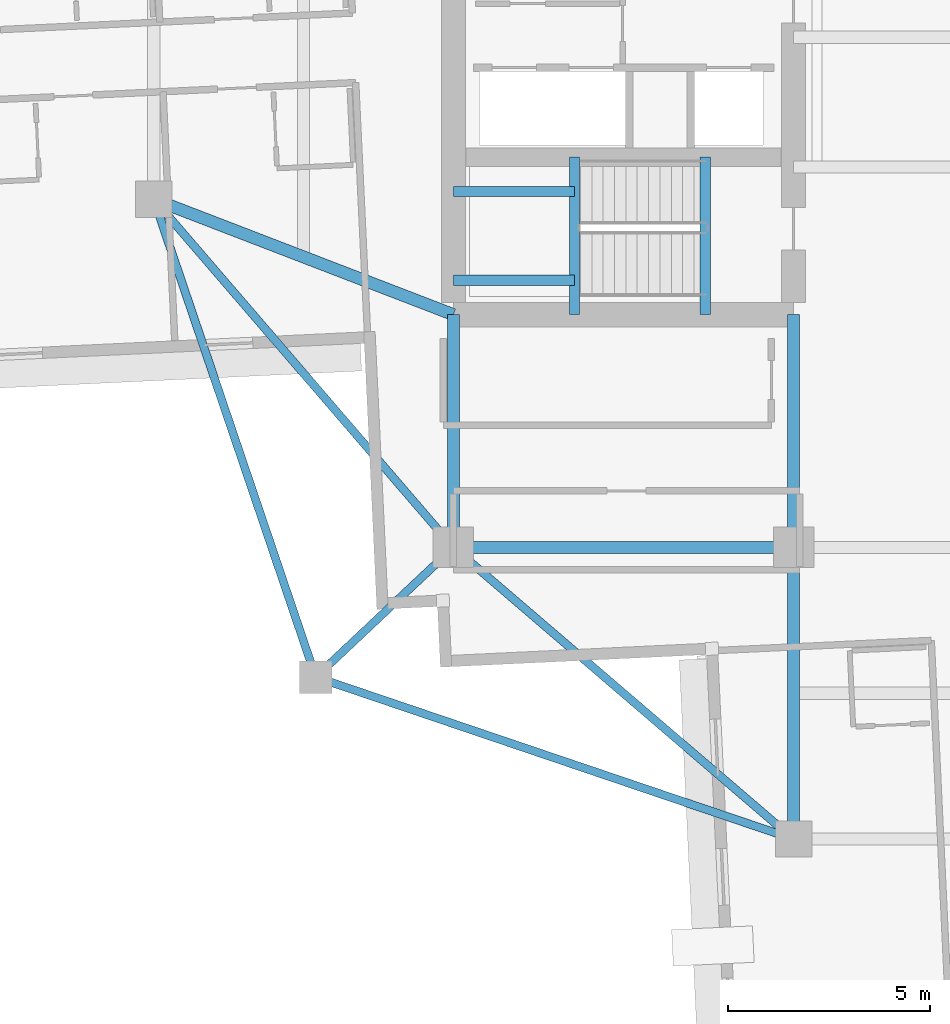
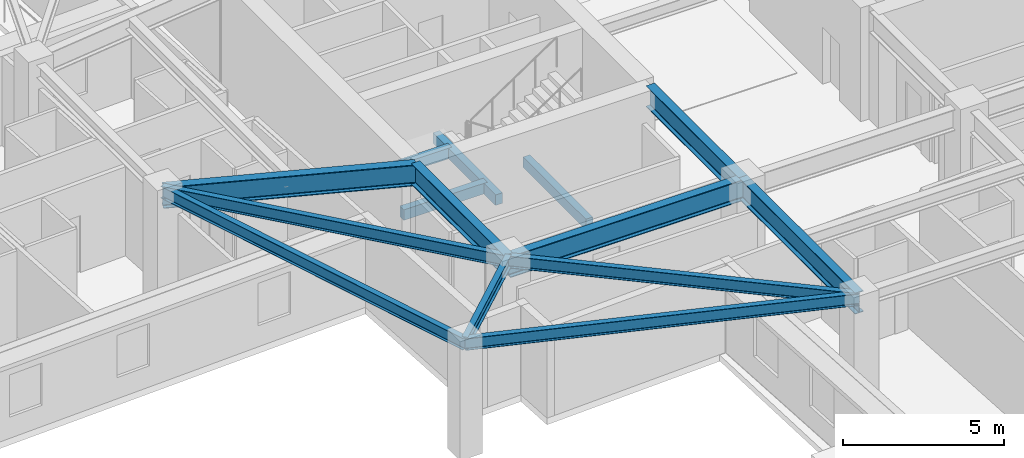
# One storey, part 3 of 22: 14 beams.
"""IFC4 building model written with IfcOpenShell, lengths in metres."""

import ifcopenshell
import ifcopenshell.guid

model = None  # the IFC model being written
_history = None  # IfcOwnerHistory: only IFC2X3 demands one
_inside = {}  # id of a spatial element -> (the spatial element, [elements in it])
_under = {}  # id of a project, library or spatial element -> (it, [spatial elements below it])
_declared = {}  # id of a project -> (the project, [libraries it declares])
_typed = {}  # id of a type object -> (the type object, [elements of that type])
_made_of = {}  # id of a material, layer set ... -> (it, [elements and type objects made of it])


def new_model(schema):
    """Start an empty IFC model of exactly this schema.

    Asked for "IFC4X3", IfcOpenShell would pick the latest addendum, in which some entities
    have other attributes; the version numbers below select the first issue.
    IFC2X3 requires an IfcOwnerHistory on every rooted entity: one is made here for all.
    """
    global model, _history
    if schema == "IFC4X3":
        model = ifcopenshell.file(schema_version=(4, 3, 0, 0))
    else:
        model = ifcopenshell.file(schema=schema)
    _inside.clear()
    _under.clear()
    _declared.clear()
    _typed.clear()
    _made_of.clear()
    _history = None
    if model.schema == "IFC2X3":
        org = make("IfcOrganization", Name="unknown")
        user = make(
            "IfcPersonAndOrganization",
            ThePerson=make("IfcPerson", FamilyName="unknown"),
            TheOrganization=org,
        )
        app = make(
            "IfcApplication",
            ApplicationDeveloper=org,
            Version="unknown",
            ApplicationFullName="unknown",
            ApplicationIdentifier="unknown",
        )
        _history = make(
            "IfcOwnerHistory",
            OwningUser=user,
            OwningApplication=app,
            ChangeAction="ADDED",
            CreationDate=0,
        )
    return model


def make(cls, **values):
    """One entity of the class cls with the attributes given. An attribute that is None is left unset."""
    return model.create_entity(
        cls, **{name: value for name, value in values.items() if value is not None}
    )


def rooted(cls, **values):
    """An entity with a GlobalId (a new one), such as an element, a storey or a relation."""
    return make(cls, GlobalId=ifcopenshell.guid.new(), OwnerHistory=_history, **values)


def si_unit(unit_type, name, prefix=None):
    """IfcSIUnit, for example si_unit("LENGTHUNIT", "METRE", prefix="MILLI")."""
    return make("IfcSIUnit", UnitType=unit_type, Prefix=prefix, Name=name)


def assignment(units):
    """IfcUnitAssignment: the units of a project."""
    return None if units is None else make("IfcUnitAssignment", Units=units)


def point(xyz):
    """IfcCartesianPoint."""
    return None if xyz is None else make("IfcCartesianPoint", Coordinates=xyz)


def direction(xyz):
    """IfcDirection."""
    return None if xyz is None else make("IfcDirection", DirectionRatios=xyz)


def frame(location, z_axis=None, x_axis=None):
    """IfcAxis2Placement3D, a coordinate frame: its origin and axes. An axis left out is left unset."""
    return make(
        "IfcAxis2Placement3D",
        Location=point(location),
        Axis=direction(z_axis),
        RefDirection=direction(x_axis),
    )


def frame_2d(location, x_axis=None):
    """IfcAxis2Placement2D, a coordinate frame in the plane: its origin and x axis."""
    return make(
        "IfcAxis2Placement2D", Location=point(location), RefDirection=direction(x_axis)
    )


def origin():
    """The frame at (0, 0, 0) with its axes left unset."""
    return frame((0.0, 0.0, 0.0))


def origin_2d():
    """The frame at (0, 0) in the plane with its x axis left unset."""
    return frame_2d((0.0, 0.0))


def place(relative_to, where):
    """IfcLocalPlacement: puts the frame where relative to a parent placement (None: the world)."""
    return make(
        "IfcLocalPlacement", PlacementRelTo=relative_to, RelativePlacement=where
    )


def context(
    kind, dimensions, precision=None, world=None, true_north=None, identifier=None
):
    """IfcGeometricRepresentationContext, for example the 3D "Model" context."""
    return make(
        "IfcGeometricRepresentationContext",
        ContextIdentifier=identifier,
        ContextType=kind,
        CoordinateSpaceDimension=dimensions,
        Precision=precision,
        WorldCoordinateSystem=world,
        TrueNorth=true_north,
    )


def subcontext(parent, identifier, kind, view, scale=None):
    """IfcGeometricRepresentationSubContext, for example "Body" below "Model"."""
    return make(
        "IfcGeometricRepresentationSubContext",
        ContextIdentifier=identifier,
        ContextType=kind,
        ParentContext=parent,
        TargetScale=scale,
        TargetView=view,
    )


def project(units=None, contexts=None):
    """IfcProject with its units and contexts."""
    return rooted(
        "IfcProject",
        Name="project",
        RepresentationContexts=contexts,
        UnitsInContext=assignment(units),
    )


def spatial(cls, under=None, at=None, **own):
    """A site, building, storey or space (cls), placed at a placement, below another one or the project."""
    s = rooted(cls, ObjectPlacement=at, **own)
    if under is not None:
        _under.setdefault(under.id(), (under, []))[1].append(s)
    return s


def profile(cls, at=None, kind="AREA", **sizes):
    """A parametric profile (cls). Its sizes go by their IFC names, for example OverallWidth=200.0."""
    return make(cls, ProfileType=kind, Position=at, **sizes)


def rectangle(**sizes):
    """IfcRectangleProfileDef."""
    return profile("IfcRectangleProfileDef", **sizes)


def i_section(**sizes):
    """IfcIShapeProfileDef."""
    return profile("IfcIShapeProfileDef", **sizes)


def extrude(swept, where, along, depth):
    """IfcExtrudedAreaSolid: the profile swept, set in the frame where, extruded along a direction by depth."""
    return make(
        "IfcExtrudedAreaSolid",
        SweptArea=swept,
        Position=where,
        ExtrudedDirection=direction(along),
        Depth=depth,
    )


def shape(context_of_items, identifier, shape_type, items):
    """IfcShapeRepresentation: the items that make up one representation, for example the "Body"."""
    return make(
        "IfcShapeRepresentation",
        ContextOfItems=context_of_items,
        RepresentationIdentifier=identifier,
        RepresentationType=shape_type,
        Items=items,
    )


def material(Name=None, Category=None):
    """IfcMaterial."""
    return make("IfcMaterial", Name=Name, Category=Category)


def material_profile(
    of_material, cross_section, Name=None, Category=None, Priority=None
):
    """IfcMaterialProfile: a cross section and its material."""
    return make(
        "IfcMaterialProfile",
        Name=Name,
        Material=of_material,
        Profile=cross_section,
        Priority=Priority,
        Category=Category,
    )


def profile_set(profiles, Name=None, composite=None):
    """IfcMaterialProfileSet."""
    return make(
        "IfcMaterialProfileSet",
        Name=Name,
        MaterialProfiles=profiles,
        CompositeProfile=composite,
    )


def made_of(thing, what):
    """Note that an element or type object is made of a material, layer set ...; save() writes the relation."""
    if what is not None:
        _made_of.setdefault(what.id(), (what, []))[1].append(thing)
    return thing


def type_object(cls, material=None, **own):
    """A type object (cls), such as IfcWallType, which elements share."""
    return made_of(rooted(cls, **own), material)


def element(
    cls,
    number,
    at=None,
    inside=None,
    cuts=None,
    type_object=None,
    material=None,
    context=None,
    identifier="Body",
    shape_type=None,
    held_by="IfcProductDefinitionShape",
    body=None,
    shapes=None,
    **own,
):
    """One element of the class cls, such as IfcWall. Its Tag is "e" and its number.

    at: its placement. inside: the storey or other place that contains it. cuts: it is an
    opening in that element (IfcRelVoidsElement). A single representation is given by context,
    identifier, shape_type and body (its items); several are given by shapes. held_by: the class
    of the entity that holds the representations. save() writes the other relations.
    """
    e = rooted(cls, Tag="e%d" % number, ObjectPlacement=at, **own)
    if body is not None:
        shapes = [shape(context, identifier, shape_type, body)]
    if shapes is not None:
        e.Representation = make(held_by, Representations=shapes)
    if inside is not None:
        _inside.setdefault(inside.id(), (inside, []))[1].append(e)
    if cuts is not None:
        rooted(
            "IfcRelVoidsElement", RelatingBuildingElement=cuts, RelatedOpeningElement=e
        )
    if type_object is not None:
        _typed.setdefault(type_object.id(), (type_object, []))[1].append(e)
    return made_of(e, material)


def aggregate(whole, parts):
    """IfcRelAggregates: a whole, such as a stair, and the parts it consists of."""
    return rooted("IfcRelAggregates", RelatingObject=whole, RelatedObjects=parts)


def save(model, path):
    """Write the relations noted so far, then the file.

    IfcRelAggregates (storeys below a building ...), IfcRelContainedInSpatialStructure (elements
    in a storey), IfcRelDefinesByType, IfcRelAssociatesMaterial and IfcRelDeclares: one each for
    every whole, place, type object, material and project.
    """
    for whole, parts in _under.values():
        aggregate(whole, parts)
    for where, things in _inside.values():
        rooted(
            "IfcRelContainedInSpatialStructure",
            RelatedElements=things,
            RelatingStructure=where,
        )
    for kind, things in _typed.values():
        rooted("IfcRelDefinesByType", RelatedObjects=things, RelatingType=kind)
    for what, things in _made_of.values():
        rooted("IfcRelAssociatesMaterial", RelatedObjects=things, RelatingMaterial=what)
    for by, libraries in _declared.values():
        rooted("IfcRelDeclares", RelatingContext=by, RelatedDefinitions=libraries)
    model.write(path)


model = new_model("IFC4")

# Units and contexts
model_context = context("Model", 3, precision=1e-05, world=origin(), true_north=direction((0.0, 1.0)))
body_context = subcontext(model_context, "Body", "Model", "MODEL_VIEW")
ifc_project = project(units=[si_unit("LENGTHUNIT", "METRE"), si_unit("AREAUNIT", "SQUARE_METRE"), si_unit("VOLUMEUNIT", "CUBIC_METRE"), si_unit("PLANEANGLEUNIT", "RADIAN"), si_unit("MASSUNIT", "GRAM", prefix="KILO")], contexts=[model_context])

# Site, building, storey
site_placement = place(None, origin())
site = spatial("IfcSite", under=ifc_project, at=site_placement, CompositionType="ELEMENT")
building_placement = place(site_placement, origin())
building = spatial("IfcBuilding", under=site, at=building_placement, Name="Qingluan Cross Belvedere", CompositionType="ELEMENT")
storey_placement = place(building_placement, frame((0.0, 0.0, 196.800048828125)))
storey = spatial("IfcBuildingStorey", under=building, at=storey_placement, Name="L49", CompositionType="ELEMENT", Elevation=196.800048828125)

# Beams
ifc_material_1 = material(Name="Concrete C45", Category="concrete")
ifc_material_profile_1 = material_profile(ifc_material_1, rectangle(XDim=0.25, YDim=0.39990234375, at=origin_2d()), Name="RC250x400")
ifc_profile_set_1 = profile_set([ifc_material_profile_1], Name="Concrete C45")
beam_type_1 = type_object("IfcBeamType", Name="RC_Lintel_RC250x400", PredefinedType="LINTEL", material=ifc_profile_set_1)
for number, where, z_axis, x_axis, name in (
    (1, (-6.179931640625, -6.85009765625, -0.199951171875), (0.0, 1.0, 0.0), (-1.0, 0.0, 0.0), "Stair ST1 landing beam L49"),
    (2, (-9.409912109375, -6.85009765625, 1.849853515625), (0.0, 1.0, 0.0), (-1.0, 0.0, 0.0), "Stair ST1 beam A L49"),
):
    element("IfcBeam", number, at=place(storey_placement, frame(where, z_axis=z_axis, x_axis=x_axis)), inside=storey, type_object=beam_type_1, Name=name, PredefinedType="LINTEL", context=body_context, shape_type="SweptSolid", body=[
        extrude(rectangle(XDim=0.25, YDim=0.39990234375, at=origin_2d()), origin(), (0.0, 0.0, 1.0), 3.89013671875),
    ])
for number, where, z_axis, x_axis, name in (
    (3, (-12.39990234375, -6.0, 1.849853515625), (1.0, 0.0, 0.0), (0.0, 1.0, 0.0), "Stair ST1 beam B L49"),
    (4, (-12.39990234375, -3.81005859375, 1.849853515625), (1.0, 0.0, 0.0), (0.0, 1.0, 0.0), "Stair ST1 beam C L49"),
):
    element("IfcBeam", number, at=place(storey_placement, frame(where, z_axis=z_axis, x_axis=x_axis)), inside=storey, type_object=beam_type_1, Name=name, PredefinedType="LINTEL", context=body_context, shape_type="SweptSolid", body=[
        extrude(rectangle(XDim=0.25, YDim=0.39990234375, at=origin_2d()), origin(), (0.0, 0.0, 1.0), 2.989990234375),
    ])
ifc_material_2 = material(Name="Steel Q420GJB", Category="steel")
ifc_material_profile_2 = material_profile(ifc_material_2, i_section(OverallWidth=0.199951171875, OverallDepth=0.449951171875, WebThickness=0.009033203125, FlangeThickness=0.013916015625, FilletRadius=0.01611328125, at=origin_2d()), Name="HN450x200x9x14")
ifc_profile_set_2 = profile_set([ifc_material_profile_2], Name="Steel Q420GJB")
beam_type_2 = type_object("IfcBeamType", Name="Steel_Beam_HN450x200x9x14", PredefinedType="JOIST", material=ifc_profile_set_2)
beam_1_placement = place(storey_placement, frame((-12.39990234375, -12.60009765625, 4.074951171875), z_axis=(-0.728219948308, -0.685343495546, 0.0), x_axis=(0.685343495546, -0.728219948308, 0.0)))
element("IfcBeam", 5, at=beam_1_placement, inside=storey, type_object=beam_type_2, Name="Corner beam 1 L49-RSW", PredefinedType="JOIST", context=body_context, shape_type="SweptSolid", body=[
    extrude(i_section(OverallWidth=0.199951171875, OverallDepth=0.449951171875, WebThickness=0.009033203125, FlangeThickness=0.013916015625, FilletRadius=0.01611328125, at=origin_2d()), origin(), (0.0, 0.0, 1.0), 4.669189453125),
])
for number, where, z_axis, x_axis, name in (
    (6, (-15.800048828125, -15.800048828125, 4.074951171875), (0.947066283324, -0.321038089628, 0.0), (0.321038089628, 0.947066283324, 0.0), "Corner beam 2 L49-RSW"),
    (7, (-15.800048828125, -15.800048828125, 4.074951171875), (-0.321038089628, 0.947066283324, 0.0), (-0.947066283324, -0.321038089628, 0.0), "Corner beam 3 L49-RSW"),
):
    element("IfcBeam", number, at=place(storey_placement, frame(where, z_axis=z_axis, x_axis=x_axis)), inside=storey, type_object=beam_type_2, Name=name, PredefinedType="JOIST", context=body_context, shape_type="SweptSolid", body=[
        extrude(i_section(OverallWidth=0.199951171875, OverallDepth=0.449951171875, WebThickness=0.009033203125, FlangeThickness=0.013916015625, FilletRadius=0.01611328125, at=origin_2d()), origin(), (0.0, 0.0, 1.0), 12.45947265625),
    ])
beam_2_placement = place(storey_placement, frame((-12.39990234375, -12.60009765625, 4.074951171875), z_axis=(-0.652245077546, 0.75800815221, 0.0), x_axis=(-0.75800815221, -0.652245077546, 0.0)))
element("IfcBeam", 8, at=beam_2_placement, inside=storey, type_object=beam_type_2, Name="Corner beam 4 L49-RSW", PredefinedType="JOIST", context=body_context, shape_type="SweptSolid", body=[
    extrude(i_section(OverallWidth=0.199951171875, OverallDepth=0.449951171875, WebThickness=0.009033203125, FlangeThickness=0.013916015625, FilletRadius=0.01611328125, at=origin_2d()), origin(), (0.0, 0.0, 1.0), 11.345703125),
])
beam_3_placement = place(storey_placement, frame((-12.39990234375, -12.60009765625, 4.074951171875), z_axis=(0.759255044656, -0.650793190779, 0.0), x_axis=(0.650793190779, 0.759255044656, 0.0)))
element("IfcBeam", 9, at=beam_3_placement, inside=storey, type_object=beam_type_2, Name="Corner beam 5 L49-RSW", PredefinedType="JOIST", context=body_context, shape_type="SweptSolid", body=[
    extrude(i_section(OverallWidth=0.199951171875, OverallDepth=0.449951171875, WebThickness=0.009033203125, FlangeThickness=0.013916015625, FilletRadius=0.01611328125, at=origin_2d()), origin(), (0.0, 0.0, 1.0), 11.063232421875),
])
ifc_material_3 = material(Name="Steel Q420GJB", Category="steel")
ifc_material_profile_3 = material_profile(ifc_material_3, i_section(OverallWidth=0.300048828125, OverallDepth=0.800048828125, WebThickness=0.015380859375, FlangeThickness=0.028076171875, FilletRadius=0.030029296875, at=origin_2d()), Name="HEB800")
ifc_profile_set_3 = profile_set([ifc_material_profile_3], Name="Steel Q420GJB")
beam_type_3 = type_object("IfcBeamType", Name="Steel_Girder_HEB800", PredefinedType="USERDEFINED", material=ifc_profile_set_3)
beam_4_placement = place(storey_placement, frame((-12.39990234375, -12.60009765625, 3.89990234375), z_axis=(1.0, 0.0, 0.0), x_axis=(0.0, 1.0, 0.0)))
element("IfcBeam", 10, at=beam_4_placement, inside=storey, type_object=beam_type_3, Name="Hub girder L49-HG-S1", ObjectType="GIRDER", PredefinedType="USERDEFINED", context=body_context, shape_type="SweptSolid", body=[
    extrude(i_section(OverallWidth=0.300048828125, OverallDepth=0.800048828125, WebThickness=0.015380859375, FlangeThickness=0.028076171875, FilletRadius=0.030029296875, at=origin_2d()), origin(), (0.0, 0.0, 1.0), 8.39990234375),
])
for number, where, z_axis, x_axis, name in (
    (11, (-12.39990234375, -12.60009765625, 3.89990234375), (0.0, 1.0, 0.0), (-1.0, 0.0, 0.0), "Hub girder L49-HG-W1"),
    (12, (-4.0, -12.60009765625, 3.89990234375), (0.0, 1.0, 0.0), (-1.0, 0.0, 0.0), "Hub girder L49-HG-CW"),
):
    element("IfcBeam", number, at=place(storey_placement, frame(where, z_axis=z_axis, x_axis=x_axis)), inside=storey, type_object=beam_type_3, Name=name, ObjectType="GIRDER", PredefinedType="USERDEFINED", context=body_context, shape_type="SweptSolid", body=[
        extrude(i_section(OverallWidth=0.300048828125, OverallDepth=0.800048828125, WebThickness=0.015380859375, FlangeThickness=0.028076171875, FilletRadius=0.030029296875, at=origin_2d()), origin(), (0.0, 0.0, 1.0), 5.75),
    ])
beam_5_placement = place(storey_placement, frame((-12.39990234375, -6.85009765625, 3.89990234375), z_axis=(-0.933181258889, 0.359406090735, 0.0), x_axis=(-0.359406090735, -0.933181258889, 0.0)))
element("IfcBeam", 13, at=beam_5_placement, inside=storey, type_object=beam_type_3, Name="Arm W radial girder A L49", ObjectType="GIRDER", PredefinedType="USERDEFINED", context=body_context, shape_type="SweptSolid", body=[
    extrude(i_section(OverallWidth=0.300048828125, OverallDepth=0.800048828125, WebThickness=0.015380859375, FlangeThickness=0.028076171875, FilletRadius=0.030029296875, at=origin_2d()), origin(), (0.0, 0.0, 1.0), 7.929931640625),
])
beam_6_placement = place(storey_placement, frame((-4.0, -12.60009765625, 3.89990234375), z_axis=(0.0, -1.0, 0.0), x_axis=(1.0, 0.0, 0.0)))
element("IfcBeam", 14, at=beam_6_placement, inside=storey, type_object=beam_type_3, Name="Arm S radial girder A L49", ObjectType="GIRDER", PredefinedType="USERDEFINED", context=body_context, shape_type="SweptSolid", body=[
    extrude(i_section(OverallWidth=0.300048828125, OverallDepth=0.800048828125, WebThickness=0.015380859375, FlangeThickness=0.028076171875, FilletRadius=0.030029296875, at=origin_2d()), origin(), (0.0, 0.0, 1.0), 7.199951171875),
])

save(model, "model.ifc")
